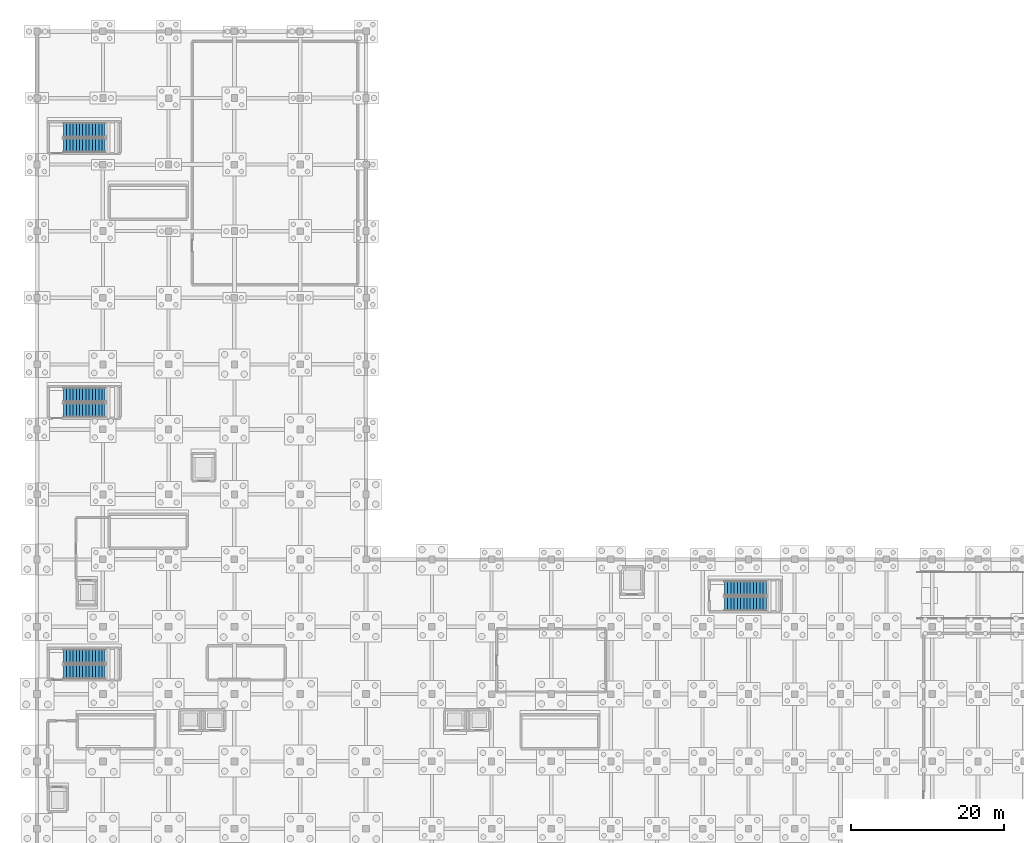
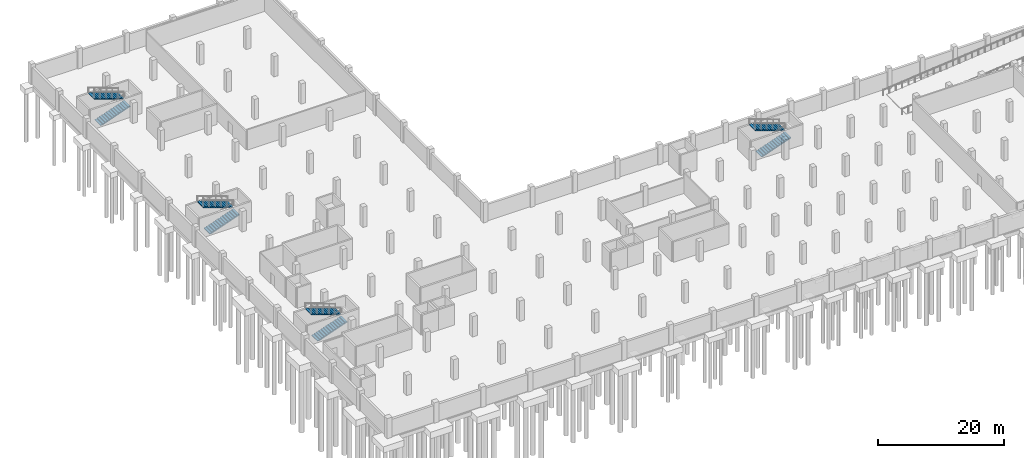
# One storey, part 19 of 28: 8 stair flights, 4 elements without a shape of their own.
"""IFC4 building model written with IfcOpenShell, lengths in metres."""

from ifc_helpers import new_model, si_unit, direction, frame, origin, place, context, subcontext, project, spatial, polyline, outline, extrude, material, type_object, element, aggregate, save


model = new_model("IFC4")

# Units and contexts
model_context = context("Model", 3, precision=1e-05, world=origin(), true_north=direction((0.0, 1.0)))
body_context = subcontext(model_context, "Body", "Model", "MODEL_VIEW")
ifc_project = project(units=[si_unit("LENGTHUNIT", "METRE"), si_unit("AREAUNIT", "SQUARE_METRE"), si_unit("VOLUMEUNIT", "CUBIC_METRE"), si_unit("PLANEANGLEUNIT", "RADIAN"), si_unit("MASSUNIT", "GRAM", prefix="KILO")], contexts=[model_context])

# Site, building, storey
site_placement = place(None, origin())
site = spatial("IfcSite", under=ifc_project, at=site_placement, CompositionType="ELEMENT")
building_placement = place(site_placement, origin())
building = spatial("IfcBuilding", under=site, at=building_placement, Name="Varnakota Cinema and Media Centre", CompositionType="ELEMENT")
storey_placement = place(building_placement, frame((0.0, 0.0, -4.199951171875)))
storey = spatial("IfcBuildingStorey", under=building, at=storey_placement, Name="B1", CompositionType="ELEMENT", Elevation=-4.199951171875)

# Stair, stair flights
ifc_material_1 = material(Name="Concrete M35", Category="concrete")
stair_type_1 = type_object("IfcStairType", Name="STR-CORE-ST-B1-1850", PredefinedType="HALF_TURN_STAIR", material=ifc_material_1)
stair_1_placement = place(storey_placement, origin())
stair_1 = element("IfcStair", 1, at=stair_1_placement, inside=storey, type_object=stair_type_1, Name="B1 Basement South-West Escape Stair B1", PredefinedType="HALF_TURN_STAIR")
ifc_material_2 = material(Name="Concrete M35", Category="concrete")
stair_flight_type_1 = type_object("IfcStairFlightType", Name="STF-CORE-ST-B1-1850", PredefinedType="STRAIGHT", material=ifc_material_2)
stair_flight_1_placement = place(storey_placement, frame((3.449951171875, 29.324951171875, 0.0), z_axis=(0.0, 0.0, 1.0), x_axis=(1.0, 0.0, 0.0)))
stair_flight_1 = element("IfcStairFlight", 2, at=stair_flight_1_placement, type_object=stair_flight_type_1, Name="ST-B1 flight 1", NumberOfRisers=14, NumberOfTreads=13, PredefinedType="STRAIGHT", RiserHeight=0.15, TreadLength=0.42, context=body_context, shape_type="SweptSolid", body=[
    extrude(outline(polyline([(0.0, 0.0), (0.0, 0.14990234375), (0.419921875, 0.14990234375), (0.419921875, 0.300048828125), (0.840087890625, 0.300048828125), (0.840087890625, 0.449951171875), (1.260009765625, 0.449951171875), (1.260009765625, 0.60009765625), (1.679931640625, 0.60009765625), (1.679931640625, 0.75), (2.10009765625, 0.75), (2.10009765625, 0.89990234375), (2.52001953125, 0.89990234375), (2.52001953125, 1.050048828125), (2.93994140625, 1.050048828125), (2.93994140625, 1.199951171875), (3.360107421875, 1.199951171875), (3.360107421875, 1.35009765625), (3.780029296875, 1.35009765625), (3.780029296875, 1.5), (4.199951171875, 1.5), (4.199951171875, 1.64990234375), (4.6201171875, 1.64990234375), (4.6201171875, 1.800048828125), (5.0400390625, 1.800048828125), (5.0400390625, 1.949951171875), (5.4599609375, 1.949951171875), (5.4599609375, 2.10009765625), (5.4599609375, 1.790771484375), (0.44580078125, 0.0), (0.0, 0.0)])), frame((0.0, 0.925048828125, 0.0), z_axis=(0.0, -1.0, 0.0), x_axis=(1.0, 0.0, 0.0)), (0.0, 0.0, 1.0), 1.85009765625),
])
stair_flight_2_placement = place(storey_placement, frame((8.909912109375, 31.324951171875, 2.099853515625), z_axis=(0.0, 0.0, 1.0), x_axis=(-1.0, 0.0, 0.0)))
stair_flight_2 = element("IfcStairFlight", 3, at=stair_flight_2_placement, type_object=stair_flight_type_1, Name="ST-B1 flight 2", NumberOfRisers=14, NumberOfTreads=13, PredefinedType="STRAIGHT", RiserHeight=0.15, TreadLength=0.42, context=body_context, shape_type="SweptSolid", body=[
    extrude(outline(polyline([(0.0, 0.0), (0.0, 0.14990234375), (0.419921875, 0.14990234375), (0.419921875, 0.300048828125), (0.840087890625, 0.300048828125), (0.840087890625, 0.449951171875), (1.260009765625, 0.449951171875), (1.260009765625, 0.60009765625), (1.679931640625, 0.60009765625), (1.679931640625, 0.75), (2.10009765625, 0.75), (2.10009765625, 0.89990234375), (2.52001953125, 0.89990234375), (2.52001953125, 1.050048828125), (2.93994140625, 1.050048828125), (2.93994140625, 1.199951171875), (3.360107421875, 1.199951171875), (3.360107421875, 1.35009765625), (3.780029296875, 1.35009765625), (3.780029296875, 1.5), (4.199951171875, 1.5), (4.199951171875, 1.64990234375), (4.6201171875, 1.64990234375), (4.6201171875, 1.800048828125), (5.0400390625, 1.800048828125), (5.0400390625, 1.949951171875), (5.4599609375, 1.949951171875), (5.4599609375, 2.10009765625), (5.4599609375, 1.790771484375), (0.44580078125, 0.0), (0.0, 0.0)])), frame((0.0, 0.925048828125, 0.0), z_axis=(0.0, -1.0, 0.0), x_axis=(1.0, 0.0, 0.0)), (0.0, 0.0, 1.0), 1.85009765625),
])
aggregate(stair_1, [stair_flight_1, stair_flight_2])

ifc_material_3 = material(Name="Concrete M35", Category="concrete")
stair_type_2 = type_object("IfcStairType", Name="STR-CORE-ST-B2-1850", PredefinedType="HALF_TURN_STAIR", material=ifc_material_3)
stair_2_placement = place(storey_placement, origin())
stair_2 = element("IfcStair", 4, at=stair_2_placement, inside=storey, type_object=stair_type_2, Name="B1 Basement Cinema Escape Stair B2", PredefinedType="HALF_TURN_STAIR")
ifc_material_4 = material(Name="Concrete M35", Category="concrete")
stair_flight_type_2 = type_object("IfcStairFlightType", Name="STF-CORE-ST-B2-1850", PredefinedType="STRAIGHT", material=ifc_material_4)
stair_flight_3_placement = place(storey_placement, frame((89.85009765625, 38.22509765625, 0.0), z_axis=(0.0, 0.0, 1.0), x_axis=(1.0, 0.0, 0.0)))
stair_flight_3 = element("IfcStairFlight", 5, at=stair_flight_3_placement, type_object=stair_flight_type_2, Name="ST-B2 flight 1", NumberOfRisers=14, NumberOfTreads=13, PredefinedType="STRAIGHT", RiserHeight=0.15, TreadLength=0.42, context=body_context, shape_type="SweptSolid", body=[
    extrude(outline(polyline([(0.0, 0.0), (0.0, 0.14990234375), (0.419921875, 0.14990234375), (0.419921875, 0.300048828125), (0.840087890625, 0.300048828125), (0.840087890625, 0.449951171875), (1.260009765625, 0.449951171875), (1.260009765625, 0.60009765625), (1.679931640625, 0.60009765625), (1.679931640625, 0.75), (2.10009765625, 0.75), (2.10009765625, 0.89990234375), (2.52001953125, 0.89990234375), (2.52001953125, 1.050048828125), (2.93994140625, 1.050048828125), (2.93994140625, 1.199951171875), (3.360107421875, 1.199951171875), (3.360107421875, 1.35009765625), (3.780029296875, 1.35009765625), (3.780029296875, 1.5), (4.199951171875, 1.5), (4.199951171875, 1.64990234375), (4.6201171875, 1.64990234375), (4.6201171875, 1.800048828125), (5.0400390625, 1.800048828125), (5.0400390625, 1.949951171875), (5.4599609375, 1.949951171875), (5.4599609375, 2.10009765625), (5.4599609375, 1.790771484375), (0.44580078125, 0.0), (0.0, 0.0)])), frame((0.0, 0.925048828125, 0.0), z_axis=(0.0, -1.0, 0.0), x_axis=(1.0, 0.0, 0.0)), (0.0, 0.0, 1.0), 1.85009765625),
])
stair_flight_4_placement = place(storey_placement, frame((95.31005859375, 40.22509765625, 2.099853515625), z_axis=(0.0, 0.0, 1.0), x_axis=(-1.0, 0.0, 0.0)))
stair_flight_4 = element("IfcStairFlight", 6, at=stair_flight_4_placement, type_object=stair_flight_type_2, Name="ST-B2 flight 2", NumberOfRisers=14, NumberOfTreads=13, PredefinedType="STRAIGHT", RiserHeight=0.15, TreadLength=0.42, context=body_context, shape_type="SweptSolid", body=[
    extrude(outline(polyline([(0.0, 0.0), (0.0, 0.14990234375), (0.419921875, 0.14990234375), (0.419921875, 0.300048828125), (0.840087890625, 0.300048828125), (0.840087890625, 0.449951171875), (1.260009765625, 0.449951171875), (1.260009765625, 0.60009765625), (1.679931640625, 0.60009765625), (1.679931640625, 0.75), (2.10009765625, 0.75), (2.10009765625, 0.89990234375), (2.52001953125, 0.89990234375), (2.52001953125, 1.050048828125), (2.93994140625, 1.050048828125), (2.93994140625, 1.199951171875), (3.360107421875, 1.199951171875), (3.360107421875, 1.35009765625), (3.780029296875, 1.35009765625), (3.780029296875, 1.5), (4.199951171875, 1.5), (4.199951171875, 1.64990234375), (4.6201171875, 1.64990234375), (4.6201171875, 1.800048828125), (5.0400390625, 1.800048828125), (5.0400390625, 1.949951171875), (5.4599609375, 1.949951171875), (5.4599609375, 2.10009765625), (5.4599609375, 1.790771484375), (0.44580078125, 0.0), (0.0, 0.0)])), frame((0.0, 0.925048828125, 0.0), z_axis=(0.0, -1.0, 0.0), x_axis=(1.0, 0.0, 0.0)), (0.0, 0.0, 1.0), 1.85009765625),
])
aggregate(stair_2, [stair_flight_3, stair_flight_4])

ifc_material_5 = material(Name="Concrete M35", Category="concrete")
stair_type_3 = type_object("IfcStairType", Name="STR-CORE-ST-B3-1850", PredefinedType="HALF_TURN_STAIR", material=ifc_material_5)
stair_3_placement = place(storey_placement, origin())
stair_3 = element("IfcStair", 7, at=stair_3_placement, inside=storey, type_object=stair_type_3, Name="B1 Basement Studio Escape Stair B3", PredefinedType="HALF_TURN_STAIR")
ifc_material_6 = material(Name="Concrete M35", Category="concrete")
stair_flight_type_3 = type_object("IfcStairFlightType", Name="STF-CORE-ST-B3-1850", PredefinedType="STRAIGHT", material=ifc_material_6)
stair_flight_5_placement = place(storey_placement, frame((3.449951171875, 63.52490234375, 0.0), z_axis=(0.0, 0.0, 1.0), x_axis=(1.0, 0.0, 0.0)))
stair_flight_5 = element("IfcStairFlight", 8, at=stair_flight_5_placement, type_object=stair_flight_type_3, Name="ST-B3 flight 1", NumberOfRisers=14, NumberOfTreads=13, PredefinedType="STRAIGHT", RiserHeight=0.15, TreadLength=0.42, context=body_context, shape_type="SweptSolid", body=[
    extrude(outline(polyline([(0.0, 0.0), (0.0, 0.14990234375), (0.419921875, 0.14990234375), (0.419921875, 0.300048828125), (0.840087890625, 0.300048828125), (0.840087890625, 0.449951171875), (1.260009765625, 0.449951171875), (1.260009765625, 0.60009765625), (1.679931640625, 0.60009765625), (1.679931640625, 0.75), (2.10009765625, 0.75), (2.10009765625, 0.89990234375), (2.52001953125, 0.89990234375), (2.52001953125, 1.050048828125), (2.93994140625, 1.050048828125), (2.93994140625, 1.199951171875), (3.360107421875, 1.199951171875), (3.360107421875, 1.35009765625), (3.780029296875, 1.35009765625), (3.780029296875, 1.5), (4.199951171875, 1.5), (4.199951171875, 1.64990234375), (4.6201171875, 1.64990234375), (4.6201171875, 1.800048828125), (5.0400390625, 1.800048828125), (5.0400390625, 1.949951171875), (5.4599609375, 1.949951171875), (5.4599609375, 2.10009765625), (5.4599609375, 1.790771484375), (0.44580078125, 0.0), (0.0, 0.0)])), frame((0.0, 0.925048828125, 0.0), z_axis=(0.0, -1.0, 0.0), x_axis=(1.0, 0.0, 0.0)), (0.0, 0.0, 1.0), 1.85009765625),
])
stair_flight_6_placement = place(storey_placement, frame((8.909912109375, 65.52490234375, 2.099853515625), z_axis=(0.0, 0.0, 1.0), x_axis=(-1.0, 0.0, 0.0)))
stair_flight_6 = element("IfcStairFlight", 9, at=stair_flight_6_placement, type_object=stair_flight_type_3, Name="ST-B3 flight 2", NumberOfRisers=14, NumberOfTreads=13, PredefinedType="STRAIGHT", RiserHeight=0.15, TreadLength=0.42, context=body_context, shape_type="SweptSolid", body=[
    extrude(outline(polyline([(0.0, 0.0), (0.0, 0.14990234375), (0.419921875, 0.14990234375), (0.419921875, 0.300048828125), (0.840087890625, 0.300048828125), (0.840087890625, 0.449951171875), (1.260009765625, 0.449951171875), (1.260009765625, 0.60009765625), (1.679931640625, 0.60009765625), (1.679931640625, 0.75), (2.10009765625, 0.75), (2.10009765625, 0.89990234375), (2.52001953125, 0.89990234375), (2.52001953125, 1.050048828125), (2.93994140625, 1.050048828125), (2.93994140625, 1.199951171875), (3.360107421875, 1.199951171875), (3.360107421875, 1.35009765625), (3.780029296875, 1.35009765625), (3.780029296875, 1.5), (4.199951171875, 1.5), (4.199951171875, 1.64990234375), (4.6201171875, 1.64990234375), (4.6201171875, 1.800048828125), (5.0400390625, 1.800048828125), (5.0400390625, 1.949951171875), (5.4599609375, 1.949951171875), (5.4599609375, 2.10009765625), (5.4599609375, 1.790771484375), (0.44580078125, 0.0), (0.0, 0.0)])), frame((0.0, 0.925048828125, 0.0), z_axis=(0.0, -1.0, 0.0), x_axis=(1.0, 0.0, 0.0)), (0.0, 0.0, 1.0), 1.85009765625),
])
aggregate(stair_3, [stair_flight_5, stair_flight_6])

ifc_material_7 = material(Name="Concrete M35", Category="concrete")
stair_type_4 = type_object("IfcStairType", Name="STR-CORE-ST-B4-1850", PredefinedType="HALF_TURN_STAIR", material=ifc_material_7)
stair_4_placement = place(storey_placement, origin())
stair_4 = element("IfcStair", 10, at=stair_4_placement, inside=storey, type_object=stair_type_4, Name="B1 Basement North Escape Stair B4", PredefinedType="HALF_TURN_STAIR")
ifc_material_8 = material(Name="Concrete M35", Category="concrete")
stair_flight_type_4 = type_object("IfcStairFlightType", Name="STF-CORE-ST-B4-1850", PredefinedType="STRAIGHT", material=ifc_material_8)
stair_flight_7_placement = place(storey_placement, frame((3.449951171875, 98.125, 0.0), z_axis=(0.0, 0.0, 1.0), x_axis=(1.0, 0.0, 0.0)))
stair_flight_7 = element("IfcStairFlight", 11, at=stair_flight_7_placement, type_object=stair_flight_type_4, Name="ST-B4 flight 1", NumberOfRisers=14, NumberOfTreads=13, PredefinedType="STRAIGHT", RiserHeight=0.15, TreadLength=0.42, context=body_context, shape_type="SweptSolid", body=[
    extrude(outline(polyline([(0.0, 0.0), (0.0, 0.14990234375), (0.419921875, 0.14990234375), (0.419921875, 0.300048828125), (0.840087890625, 0.300048828125), (0.840087890625, 0.449951171875), (1.260009765625, 0.449951171875), (1.260009765625, 0.60009765625), (1.679931640625, 0.60009765625), (1.679931640625, 0.75), (2.10009765625, 0.75), (2.10009765625, 0.89990234375), (2.52001953125, 0.89990234375), (2.52001953125, 1.050048828125), (2.93994140625, 1.050048828125), (2.93994140625, 1.199951171875), (3.360107421875, 1.199951171875), (3.360107421875, 1.35009765625), (3.780029296875, 1.35009765625), (3.780029296875, 1.5), (4.199951171875, 1.5), (4.199951171875, 1.64990234375), (4.6201171875, 1.64990234375), (4.6201171875, 1.800048828125), (5.0400390625, 1.800048828125), (5.0400390625, 1.949951171875), (5.4599609375, 1.949951171875), (5.4599609375, 2.10009765625), (5.4599609375, 1.790771484375), (0.44580078125, 0.0), (0.0, 0.0)])), frame((0.0, 0.925048828125, 0.0), z_axis=(0.0, -1.0, 0.0), x_axis=(1.0, 0.0, 0.0)), (0.0, 0.0, 1.0), 1.85009765625),
])
stair_flight_8_placement = place(storey_placement, frame((8.909912109375, 100.125, 2.099853515625), z_axis=(0.0, 0.0, 1.0), x_axis=(-1.0, 0.0, 0.0)))
stair_flight_8 = element("IfcStairFlight", 12, at=stair_flight_8_placement, type_object=stair_flight_type_4, Name="ST-B4 flight 2", NumberOfRisers=14, NumberOfTreads=13, PredefinedType="STRAIGHT", RiserHeight=0.15, TreadLength=0.42, context=body_context, shape_type="SweptSolid", body=[
    extrude(outline(polyline([(0.0, 0.0), (0.0, 0.14990234375), (0.419921875, 0.14990234375), (0.419921875, 0.300048828125), (0.840087890625, 0.300048828125), (0.840087890625, 0.449951171875), (1.260009765625, 0.449951171875), (1.260009765625, 0.60009765625), (1.679931640625, 0.60009765625), (1.679931640625, 0.75), (2.10009765625, 0.75), (2.10009765625, 0.89990234375), (2.52001953125, 0.89990234375), (2.52001953125, 1.050048828125), (2.93994140625, 1.050048828125), (2.93994140625, 1.199951171875), (3.360107421875, 1.199951171875), (3.360107421875, 1.35009765625), (3.780029296875, 1.35009765625), (3.780029296875, 1.5), (4.199951171875, 1.5), (4.199951171875, 1.64990234375), (4.6201171875, 1.64990234375), (4.6201171875, 1.800048828125), (5.0400390625, 1.800048828125), (5.0400390625, 1.949951171875), (5.4599609375, 1.949951171875), (5.4599609375, 2.10009765625), (5.4599609375, 1.790771484375), (0.44580078125, 0.0), (0.0, 0.0)])), frame((0.0, 0.925048828125, 0.0), z_axis=(0.0, -1.0, 0.0), x_axis=(1.0, 0.0, 0.0)), (0.0, 0.0, 1.0), 1.85009765625),
])
aggregate(stair_4, [stair_flight_7, stair_flight_8])

save(model, "model.ifc")
